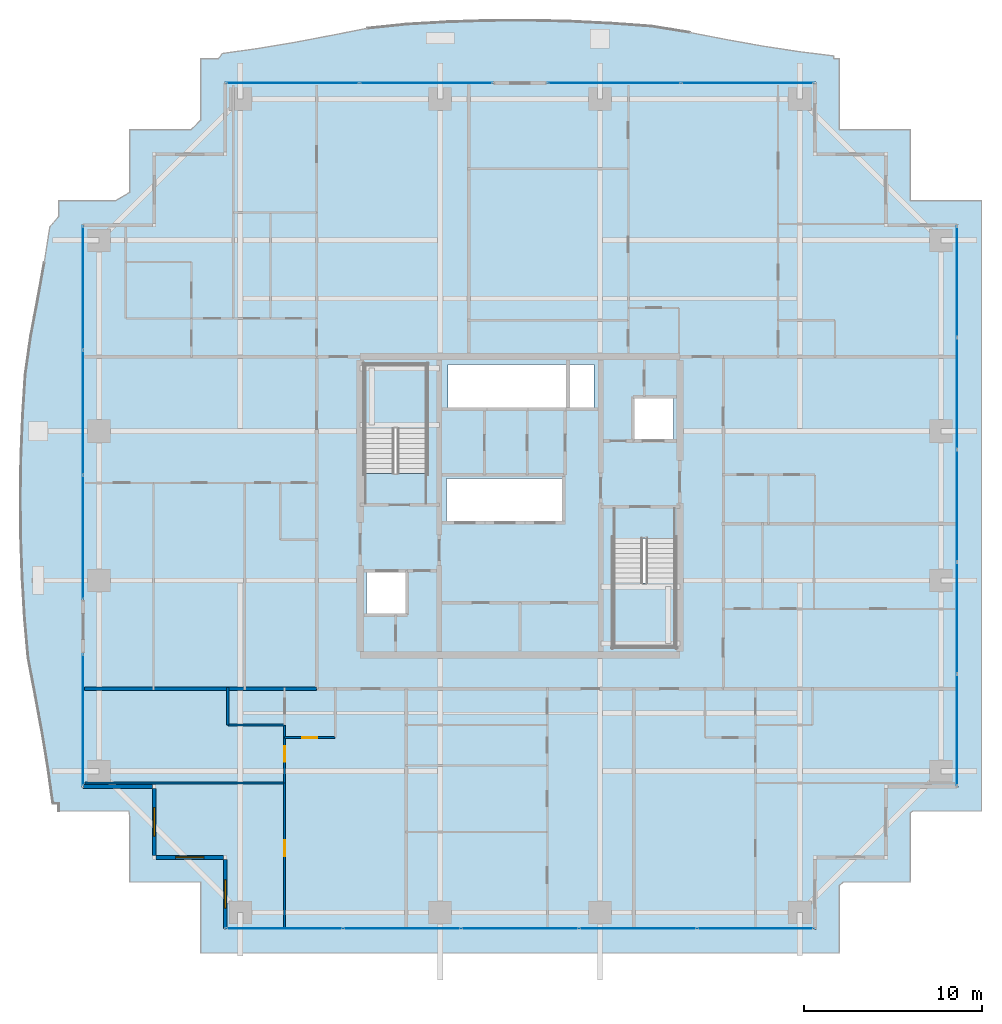
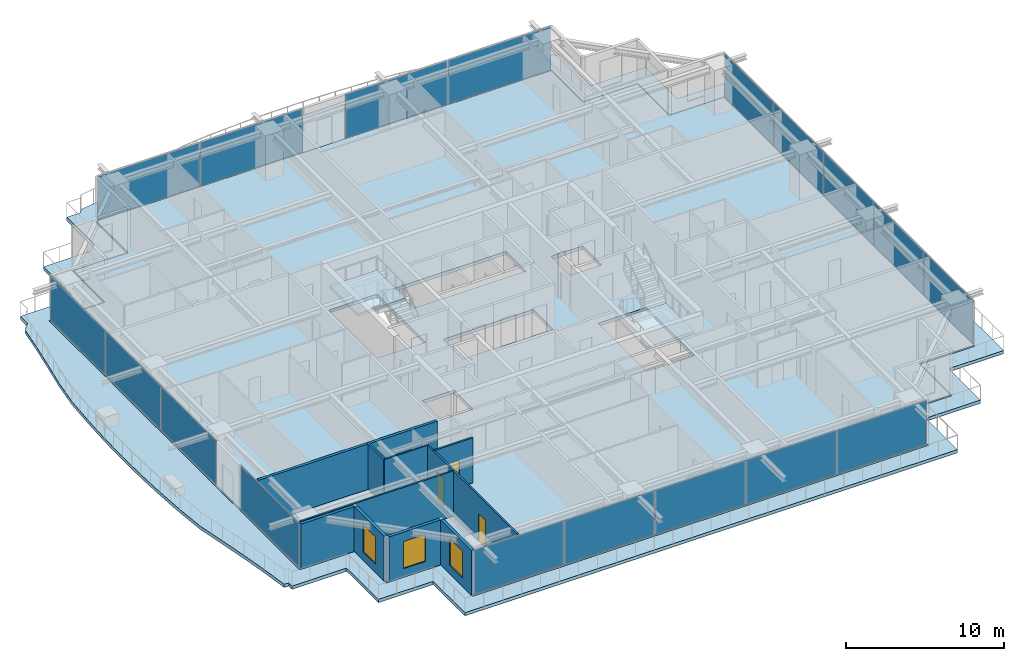
# One storey, part 26 of 37: 18 plates, 11 walls, 4 slabs, 3 doors, 3 windows, 6 openings, 8 elements without a shape of their own.
"""IFC4 building model written with IfcOpenShell, lengths in metres."""

from ifc_helpers import new_model, si_unit, direction, frame, frame_2d, origin, origin_2d, place, context, subcontext, project, spatial, polyline, rectangle, outline, extrude, source, transform, mapped, material, layer, layer_set, type_object, element, fill, aggregate, save


model = new_model("IFC4")

# Units and contexts
model_context = context("Model", 3, precision=1e-05, world=origin(), true_north=direction((0.0, 1.0)))
body_context = subcontext(model_context, "Body", "Model", "MODEL_VIEW")
ifc_project = project(units=[si_unit("LENGTHUNIT", "METRE"), si_unit("AREAUNIT", "SQUARE_METRE"), si_unit("VOLUMEUNIT", "CUBIC_METRE"), si_unit("PLANEANGLEUNIT", "RADIAN"), si_unit("MASSUNIT", "GRAM", prefix="KILO")], contexts=[model_context])

# Site, building, storey
site_placement = place(None, origin())
site = spatial("IfcSite", under=ifc_project, at=site_placement, CompositionType="ELEMENT")
building_placement = place(site_placement, origin())
building = spatial("IfcBuilding", under=site, at=building_placement, Name="Serunith Strait Residences", CompositionType="ELEMENT")
storey_placement = place(building_placement, frame((0.0, 0.0, 138.89990234375)))
storey = spatial("IfcBuildingStorey", under=building, at=storey_placement, Name="L34", CompositionType="ELEMENT", Elevation=138.89990234375)

# Slab
ifc_material_1 = material(Name="Concrete C50/60", Category="concrete")
ifc_layer_1 = layer(ifc_material_1, 0.239990234375, Name="Concrete C50/60")
ifc_layer_set_1 = layer_set([ifc_layer_1], Name="Concrete C50/60")
slab_type_1 = type_object("IfcSlabType", Name="SLB-BALC-240", PredefinedType="FLOOR", material=ifc_layer_set_1)
slab_1_placement = place(storey_placement, frame((0.0, 0.0, -0.289794921875)))
element("IfcSlab", 1, at=slab_1_placement, inside=storey, type_object=slab_type_1, Name="L34 Planted Vertical-Forest Balcony Slab", PredefinedType="FLOOR", context=body_context, shape_type="SweptSolid", body=[
    extrude(outline(polyline([(6.419921875, 8.02001953125), (6.419921875, 8.4296875), (6.095947265625, 8.4482421875), (5.817138671875, 10.44970703125), (5.4833984375, 12.47119140625), (5.10400390625, 14.529296875), (4.70166015625, 16.642822265625), (4.502685546875, 18.868408203125), (4.37060546875, 21.135986328125), (4.288818359375, 23.4287109375), (4.265380859375, 25.733642578125), (4.302490234375, 28.036376953125), (4.396728515625, 30.322509765625), (4.5390625, 32.58056640625), (4.84619140625, 34.758056640625), (5.242431640625, 36.8466796875), (5.60595703125, 38.887451171875), (5.9189453125, 40.8984375), (6.419921875, 41.48388671875), (6.419921875, 42.3798828125), (9.627685546875, 42.3798828125), (10.419921875, 42.8525390625), (10.419921875, 46.3798828125), (13.863525390625, 46.3798828125), (14.419921875, 46.915771484375), (14.419921875, 50.3798828125), (15.425048828125, 50.3798828125), (15.63330078125, 50.671142578125), (17.63134765625, 50.950439453125), (19.648193359375, 51.2880859375), (21.701904296875, 51.676513671875), (23.81298828125, 52.09130859375), (26.03759765625, 52.32080078125), (28.31640625, 52.4501953125), (30.62060546875, 52.523681640625), (32.93603515625, 52.533935546875), (35.246337890625, 52.4794921875), (37.53662109375, 52.366455078125), (39.79443359375, 52.205810546875), (41.957275390625, 51.855712890625), (44.0361328125, 51.450439453125), (46.068603515625, 51.087158203125), (48.074462890625, 50.78076171875), (50.0693359375, 50.533203125), (50.068115234375, 50.3798828125), (50.3798828125, 50.3798828125), (50.3798828125, 46.3798828125), (54.3798828125, 46.3798828125), (54.3798828125, 42.3798828125), (58.3798828125, 42.3798828125), (58.3798828125, 8.02001953125), (54.51513671875, 8.02001953125), (54.3798828125, 7.921875), (54.3798828125, 4.02001953125), (50.601806640625, 4.02001953125), (50.3798828125, 3.8408203125), (50.3798828125, 0.02001953125), (14.419921875, 0.02001953125), (14.419921875, 4.02001953125), (10.419921875, 4.02001953125), (10.419921875, 7.686767578125), (10.370849609375, 8.02001953125), (6.419921875, 8.02001953125)]), holes=[polyline([(49.054931640625, 1.344970703125), (49.054931640625, 5.344970703125), (53.054931640625, 5.344970703125), (53.054931640625, 9.344970703125), (57.054931640625, 9.344970703125), (57.054931640625, 41.054931640625), (53.054931640625, 41.054931640625), (53.054931640625, 45.054931640625), (49.054931640625, 45.054931640625), (49.054931640625, 49.054931640625), (15.7451171875, 49.054931640625), (15.7451171875, 45.054931640625), (11.7451171875, 45.054931640625), (11.7451171875, 41.054931640625), (7.7451171875, 41.054931640625), (7.7451171875, 9.344970703125), (11.7451171875, 9.344970703125), (11.7451171875, 5.344970703125), (15.7451171875, 5.344970703125), (15.7451171875, 1.344970703125), (49.054931640625, 1.344970703125)])]), origin(), (0.0, 0.0, 1.0), 0.239990234375),
])

# Stair, slab
stair_type_1 = type_object("IfcStairType", Name="STR-CORE-1", PredefinedType="HALF_TURN_STAIR", material=ifc_material_1)
stair_1_placement = place(storey_placement, origin())
stair_1 = element("IfcStair", 2, at=stair_1_placement, inside=storey, type_object=stair_type_1, Name="L34 Protected Escape Stair ST-1", PredefinedType="HALF_TURN_STAIR")
ifc_layer_2 = layer(ifc_material_1, 0.199951171875, Name="Concrete C50/60")
ifc_layer_set_2 = layer_set([ifc_layer_2], Name="Concrete C50/60")
slab_type_2 = type_object("IfcSlabType", Name="SLB-LAND-200", PredefinedType="LANDING", material=ifc_layer_set_2)
slab_2_placement = place(storey_placement, frame((0.0, 0.0, 1.675048828125)))
slab_2 = element("IfcSlab", 3, at=slab_2_placement, type_object=slab_type_2, Name="ST-1 landing 1", PredefinedType="LANDING", context=body_context, shape_type="SweptSolid", body=[
    extrude(outline(polyline([(27.14990234375, 29.550048828125), (27.14990234375, 33.14990234375), (23.64990234375, 33.14990234375), (23.64990234375, 29.550048828125), (27.14990234375, 29.550048828125)])), origin(), (0.0, 0.0, 1.0), 0.199951171875),
])
aggregate(stair_1, [slab_2])

stair_type_2 = type_object("IfcStairType", Name="STR-CORE-2", PredefinedType="HALF_TURN_STAIR", material=ifc_material_1)
stair_2_placement = place(storey_placement, origin())
stair_2 = element("IfcStair", 4, at=stair_2_placement, inside=storey, type_object=stair_type_2, Name="L34 Protected Escape Stair ST-2", PredefinedType="HALF_TURN_STAIR")
slab_3_placement = place(storey_placement, frame((0.0, 0.0, 1.675048828125)))
slab_3 = element("IfcSlab", 5, at=slab_3_placement, type_object=slab_type_2, Name="ST-2 landing 1", PredefinedType="LANDING", context=body_context, shape_type="SweptSolid", body=[
    extrude(outline(polyline([(37.64990234375, 20.85009765625), (37.64990234375, 17.25), (41.14990234375, 17.25), (41.14990234375, 20.85009765625), (37.64990234375, 20.85009765625)])), origin(), (0.0, 0.0, 1.0), 0.199951171875),
])
aggregate(stair_2, [slab_3])

# Slab
ifc_material_2 = material(Name="Concrete C60/75", Category="concrete")
ifc_layer_3 = layer(ifc_material_2, 0.260009765625, Name="Concrete C60/75")
ifc_layer_set_3 = layer_set([ifc_layer_3], Name="Concrete C60/75")
slab_type_3 = type_object("IfcSlabType", Name="SLB-TWR-260-Z2", PredefinedType="FLOOR", material=ifc_layer_set_3)
slab_4_placement = place(storey_placement, frame((0.0, 0.0, -0.260009765625)))
element("IfcSlab", 6, at=slab_4_placement, inside=storey, type_object=slab_type_3, Name="L34 Structural Floor Plate", PredefinedType="FLOOR", context=body_context, shape_type="SweptSolid", body=[
    extrude(outline(polyline([(15.800048828125, 5.39990234375), (11.800048828125, 5.39990234375), (11.800048828125, 9.39990234375), (7.800048828125, 9.39990234375), (7.800048828125, 41.0), (11.800048828125, 41.0), (11.800048828125, 45.0), (15.800048828125, 45.0), (15.800048828125, 49.0), (49.0, 49.0), (49.0, 45.0), (53.0, 45.0), (53.0, 41.0), (57.0, 41.0), (57.0, 9.39990234375), (53.0, 9.39990234375), (53.0, 5.39990234375), (49.0, 5.39990234375), (49.0, 1.39990234375), (15.800048828125, 1.39990234375), (15.800048828125, 5.39990234375)]), holes=[polyline([(41.14990234375, 23.3701171875), (37.64990234375, 23.3701171875), (37.64990234375, 17.25), (41.14990234375, 17.25), (41.14990234375, 23.3701171875)]), polyline([(38.75, 31.25), (38.75, 28.85009765625), (41.050048828125, 28.85009765625), (41.050048828125, 31.25), (38.75, 31.25)]), polyline([(36.550048828125, 33.14990234375), (28.35009765625, 33.14990234375), (28.35009765625, 30.64990234375), (36.550048828125, 30.64990234375), (36.550048828125, 33.14990234375)]), polyline([(34.85009765625, 26.75), (28.25, 26.75), (28.25, 24.25), (34.85009765625, 24.25), (34.85009765625, 26.75)]), polyline([(23.64990234375, 33.14990234375), (23.64990234375, 27.030029296875), (27.14990234375, 27.030029296875), (27.14990234375, 33.14990234375), (23.64990234375, 33.14990234375)]), polyline([(26.050048828125, 21.550048828125), (23.75, 21.550048828125), (23.75, 19.14990234375), (26.050048828125, 19.14990234375), (26.050048828125, 21.550048828125)])]), origin(), (0.0, 0.0, 1.0), 0.260009765625),
])

# Curtain wall, plates
ifc_material_3 = material(Name="Pale-Champagne Anodised Aluminium", Category="aluminium")
ifc_layer_4 = layer(ifc_material_3, 0.199951171875, Name="Pale-Champagne Anodised Aluminium")
ifc_layer_set_4 = layer_set([ifc_layer_4], Name="Pale-Champagne Anodised Aluminium")
curtain_wall_type = type_object("IfcCurtainWallType", Name="CW-SYS2", PredefinedType="NOTDEFINED", material=ifc_layer_set_4)
curtain_wall_1_placement = place(storey_placement, origin())
curtain_wall_1 = element("IfcCurtainWall", 7, at=curtain_wall_1_placement, inside=storey, type_object=curtain_wall_type, Name="L34 S Unitised Fritted Curtain Wall", PredefinedType="NOTDEFINED")
ifc_material_4 = material(Name="Diagonal-Frit Operable Low-E Glazing 30mm", Category="glass")
ifc_layer_5 = layer(ifc_material_4, 0.030029296875, Name="Diagonal-Frit Operable Low-E Glazing 30mm")
ifc_layer_set_5 = layer_set([ifc_layer_5], Name="Diagonal-Frit Operable Low-E Glazing 30mm")
plate_type = type_object("IfcPlateType", Name="CW-SYS2-PNL", PredefinedType="CURTAIN_PANEL", material=ifc_layer_set_5)
shared_shape_1 = source(origin(), body_context, "Body", "SweptSolid", [
    extrude(rectangle(XDim=6.534912109375, YDim=0.030029296875, at=origin_2d()), origin(), (0.0, 0.0, 1.0), 3.35498046875),
])
plate_1_placement = place(storey_placement, frame((19.137451171875, 1.39990234375, 0.06005859375), z_axis=(0.0, 0.0, 1.0), x_axis=(1.0, 0.0, 0.0)))
plate_1 = element("IfcPlate", 8, at=plate_1_placement, type_object=plate_type, Name="CW-2 panel 1.1", PredefinedType="CURTAIN_PANEL", context=body_context, shape_type="MappedRepresentation", body=[
    mapped(shared_shape_1, transform((0.0, 0.0, 0.0), scale=1.0)),
])
plate_2_placement = place(storey_placement, frame((45.66259765625, 1.39990234375, 0.06005859375), z_axis=(0.0, 0.0, 1.0), x_axis=(1.0, 0.0, 0.0)))
plate_2 = element("IfcPlate", 9, at=plate_2_placement, type_object=plate_type, Name="CW-2 panel 5.1", PredefinedType="CURTAIN_PANEL", context=body_context, shape_type="MappedRepresentation", body=[
    mapped(shared_shape_1, transform((0.0, 0.0, 0.0), scale=1.0)),
])
shared_shape_2 = source(origin(), body_context, "Body", "SweptSolid", [
    extrude(rectangle(XDim=6.570068359375, YDim=0.030029296875, at=origin_2d()), origin(), (0.0, 0.0, 1.0), 3.35498046875),
])
plate_3_placement = place(storey_placement, frame((25.760009765625, 1.39990234375, 0.06005859375), z_axis=(0.0, 0.0, 1.0), x_axis=(1.0, 0.0, 0.0)))
plate_3 = element("IfcPlate", 10, at=plate_3_placement, type_object=plate_type, Name="CW-2 panel 2.1", PredefinedType="CURTAIN_PANEL", context=body_context, shape_type="MappedRepresentation", body=[
    mapped(shared_shape_2, transform((0.0, 0.0, 0.0), scale=1.0)),
])
plate_4_placement = place(storey_placement, frame((32.39990234375, 1.39990234375, 0.06005859375), z_axis=(0.0, 0.0, 1.0), x_axis=(1.0, 0.0, 0.0)))
plate_4 = element("IfcPlate", 11, at=plate_4_placement, type_object=plate_type, Name="CW-2 panel 3.1", PredefinedType="CURTAIN_PANEL", context=body_context, shape_type="MappedRepresentation", body=[
    mapped(shared_shape_2, transform((0.0, 0.0, 0.0), scale=1.0)),
])
plate_5_placement = place(storey_placement, frame((39.0400390625, 1.39990234375, 0.06005859375), z_axis=(0.0, 0.0, 1.0), x_axis=(1.0, 0.0, 0.0)))
plate_5 = element("IfcPlate", 12, at=plate_5_placement, type_object=plate_type, Name="CW-2 panel 4.1", PredefinedType="CURTAIN_PANEL", context=body_context, shape_type="MappedRepresentation", body=[
    mapped(shared_shape_2, transform((0.0, 0.0, 0.0), scale=1.0)),
])
aggregate(curtain_wall_1, [plate_1, plate_3, plate_4, plate_5, plate_2])

curtain_wall_2_placement = place(storey_placement, origin())
curtain_wall_2 = element("IfcCurtainWall", 13, at=curtain_wall_2_placement, inside=storey, type_object=curtain_wall_type, Name="L34 E Unitised Fritted Curtain Wall", PredefinedType="NOTDEFINED")
shared_shape_3 = source(origin(), body_context, "Body", "SweptSolid", [
    extrude(rectangle(XDim=6.215087890625, YDim=0.030029296875, at=origin_2d()), origin(), (0.0, 0.0, 1.0), 3.35498046875),
])
plate_6_placement = place(storey_placement, frame((57.0, 12.577392578125, 0.06005859375), z_axis=(0.0, 0.0, 1.0), x_axis=(0.0, 1.0, 0.0)))
plate_6 = element("IfcPlate", 14, at=plate_6_placement, type_object=plate_type, Name="CW-2 panel 1.1", PredefinedType="CURTAIN_PANEL", context=body_context, shape_type="MappedRepresentation", body=[
    mapped(shared_shape_3, transform((0.0, 0.0, 0.0), scale=1.0)),
])
plate_7_placement = place(storey_placement, frame((57.0, 37.822509765625, 0.06005859375), z_axis=(0.0, 0.0, 1.0), x_axis=(0.0, 1.0, 0.0)))
plate_7 = element("IfcPlate", 15, at=plate_7_placement, type_object=plate_type, Name="CW-2 panel 5.1", PredefinedType="CURTAIN_PANEL", context=body_context, shape_type="MappedRepresentation", body=[
    mapped(shared_shape_3, transform((0.0, 0.0, 0.0), scale=1.0)),
])
shared_shape_4 = source(origin(), body_context, "Body", "SweptSolid", [
    extrude(rectangle(XDim=6.25, YDim=0.030029296875, at=origin_2d()), origin(), (0.0, 0.0, 1.0), 3.35498046875),
])
plate_8_placement = place(storey_placement, frame((57.0, 18.8798828125, 0.06005859375), z_axis=(0.0, 0.0, 1.0), x_axis=(0.0, 1.0, 0.0)))
plate_8 = element("IfcPlate", 16, at=plate_8_placement, type_object=plate_type, Name="CW-2 panel 2.1", PredefinedType="CURTAIN_PANEL", context=body_context, shape_type="MappedRepresentation", body=[
    mapped(shared_shape_4, transform((0.0, 0.0, 0.0), scale=1.0)),
])
plate_9_placement = place(storey_placement, frame((57.0, 25.199951171875, 0.06005859375), z_axis=(0.0, 0.0, 1.0), x_axis=(0.0, 1.0, 0.0)))
plate_9 = element("IfcPlate", 17, at=plate_9_placement, type_object=plate_type, Name="CW-2 panel 3.1", PredefinedType="CURTAIN_PANEL", context=body_context, shape_type="MappedRepresentation", body=[
    mapped(shared_shape_4, transform((0.0, 0.0, 0.0), scale=1.0)),
])
plate_10_placement = place(storey_placement, frame((57.0, 31.52001953125, 0.06005859375), z_axis=(0.0, 0.0, 1.0), x_axis=(0.0, 1.0, 0.0)))
plate_10 = element("IfcPlate", 18, at=plate_10_placement, type_object=plate_type, Name="CW-2 panel 4.1", PredefinedType="CURTAIN_PANEL", context=body_context, shape_type="MappedRepresentation", body=[
    mapped(shared_shape_4, transform((0.0, 0.0, 0.0), scale=1.0)),
])
aggregate(curtain_wall_2, [plate_6, plate_8, plate_9, plate_10, plate_7])

# Curtain wall, plate
curtain_wall_3_placement = place(storey_placement, origin())
curtain_wall_3 = element("IfcCurtainWall", 19, at=curtain_wall_3_placement, inside=storey, type_object=curtain_wall_type, Name="L34 W Unitised Fritted Curtain Wall", PredefinedType="NOTDEFINED")
shared_shape_5 = source(origin(), body_context, "Body", "SweptSolid", [
    extrude(rectangle(XDim=7.360107421875, YDim=0.030029296875, at=origin_2d()), origin(), (0.0, 0.0, 1.0), 3.35498046875),
])
plate_11_placement = place(storey_placement, frame((7.800048828125, 13.14990234375, 0.06005859375), z_axis=(0.0, 0.0, 1.0), x_axis=(0.0, -1.0, 0.0)))
plate_11 = element("IfcPlate", 20, at=plate_11_placement, type_object=plate_type, Name="CW-2 panel 1.1", PredefinedType="CURTAIN_PANEL", context=body_context, shape_type="MappedRepresentation", body=[
    mapped(shared_shape_5, transform((0.0, 0.0, 0.0), scale=1.0)),
])
aggregate(curtain_wall_3, [plate_11])

# Curtain wall, plates
curtain_wall_4_placement = place(storey_placement, origin())
curtain_wall_4 = element("IfcCurtainWall", 21, at=curtain_wall_4_placement, inside=storey, type_object=curtain_wall_type, Name="L34 W Unitised Fritted Curtain Wall", PredefinedType="NOTDEFINED")
shared_shape_6 = source(origin(), body_context, "Body", "SweptSolid", [
    extrude(rectangle(XDim=6.92822265625, YDim=0.030029296875, at=origin_2d()), origin(), (0.0, 0.0, 1.0), 3.35498046875),
])
plate_12_placement = place(storey_placement, frame((7.800048828125, 37.4658203125, 0.06005859375), z_axis=(0.0, 0.0, 1.0), x_axis=(0.0, -1.0, 0.0)))
plate_12 = element("IfcPlate", 22, at=plate_12_placement, type_object=plate_type, Name="CW-2 panel 1.1", PredefinedType="CURTAIN_PANEL", context=body_context, shape_type="MappedRepresentation", body=[
    mapped(shared_shape_6, transform((0.0, 0.0, 0.0), scale=1.0)),
])
plate_13_placement = place(storey_placement, frame((7.800048828125, 23.43408203125, 0.06005859375), z_axis=(0.0, 0.0, 1.0), x_axis=(0.0, -1.0, 0.0)))
plate_13 = element("IfcPlate", 23, at=plate_13_placement, type_object=plate_type, Name="CW-2 panel 3.1", PredefinedType="CURTAIN_PANEL", context=body_context, shape_type="MappedRepresentation", body=[
    mapped(shared_shape_6, transform((0.0, 0.0, 0.0), scale=1.0)),
])
shared_shape_7 = source(origin(), body_context, "Body", "SweptSolid", [
    extrude(rectangle(XDim=6.96337890625, YDim=0.030029296875, at=origin_2d()), origin(), (0.0, 0.0, 1.0), 3.35498046875),
])
plate_14_placement = place(storey_placement, frame((7.800048828125, 30.449951171875, 0.06005859375), z_axis=(0.0, 0.0, 1.0), x_axis=(0.0, -1.0, 0.0)))
plate_14 = element("IfcPlate", 24, at=plate_14_placement, type_object=plate_type, Name="CW-2 panel 2.1", PredefinedType="CURTAIN_PANEL", context=body_context, shape_type="MappedRepresentation", body=[
    mapped(shared_shape_7, transform((0.0, 0.0, 0.0), scale=1.0)),
])
aggregate(curtain_wall_4, [plate_12, plate_14, plate_13])

curtain_wall_5_placement = place(storey_placement, origin())
curtain_wall_5 = element("IfcCurtainWall", 25, at=curtain_wall_5_placement, inside=storey, type_object=curtain_wall_type, Name="L34 N Unitised Fritted Curtain Wall", PredefinedType="NOTDEFINED")
shared_shape_8 = source(origin(), body_context, "Body", "SweptSolid", [
    extrude(rectangle(XDim=7.445068359375, YDim=0.030029296875, at=origin_2d()), origin(), (0.0, 0.0, 1.0), 3.35498046875),
])
plate_15_placement = place(storey_placement, frame((45.20751953125, 49.0, 0.06005859375), z_axis=(0.0, 0.0, 1.0), x_axis=(-1.0, 0.0, 0.0)))
plate_15 = element("IfcPlate", 26, at=plate_15_placement, type_object=plate_type, Name="CW-2 panel 1.1", PredefinedType="CURTAIN_PANEL", context=body_context, shape_type="MappedRepresentation", body=[
    mapped(shared_shape_8, transform((0.0, 0.0, 0.0), scale=1.0)),
])
plate_16_placement = place(storey_placement, frame((37.6923828125, 49.0, 0.06005859375), z_axis=(0.0, 0.0, 1.0), x_axis=(-1.0, 0.0, 0.0)))
plate_16 = element("IfcPlate", 27, at=plate_16_placement, type_object=plate_type, Name="CW-2 panel 2.1", PredefinedType="CURTAIN_PANEL", context=body_context, shape_type="MappedRepresentation", body=[
    mapped(shared_shape_8, transform((0.0, 0.0, 0.0), scale=1.0)),
])
aggregate(curtain_wall_5, [plate_15, plate_16])

curtain_wall_6_placement = place(storey_placement, origin())
curtain_wall_6 = element("IfcCurtainWall", 28, at=curtain_wall_6_placement, inside=storey, type_object=curtain_wall_type, Name="L34 N Unitised Fritted Curtain Wall", PredefinedType="NOTDEFINED")
plate_17_placement = place(storey_placement, frame((27.107421875, 49.0, 0.06005859375), z_axis=(0.0, 0.0, 1.0), x_axis=(-1.0, 0.0, 0.0)))
plate_17 = element("IfcPlate", 29, at=plate_17_placement, type_object=plate_type, Name="CW-2 panel 1.1", PredefinedType="CURTAIN_PANEL", context=body_context, shape_type="MappedRepresentation", body=[
    mapped(shared_shape_8, transform((0.0, 0.0, 0.0), scale=1.0)),
])
plate_18_placement = place(storey_placement, frame((19.592529296875, 49.0, 0.06005859375), z_axis=(0.0, 0.0, 1.0), x_axis=(-1.0, 0.0, 0.0)))
plate_18 = element("IfcPlate", 30, at=plate_18_placement, type_object=plate_type, Name="CW-2 panel 2.1", PredefinedType="CURTAIN_PANEL", context=body_context, shape_type="MappedRepresentation", body=[
    mapped(shared_shape_8, transform((0.0, 0.0, 0.0), scale=1.0)),
])
aggregate(curtain_wall_6, [plate_17, plate_18])

# Wall
ifc_material_5 = material(Name="Pale-Champagne Aluminium Insulated Panel", Category="aluminium")
ifc_layer_6 = layer(ifc_material_5, 0.219970703125, Name="Pale-Champagne Aluminium Insulated Panel")
ifc_layer_set_6 = layer_set([ifc_layer_6], Name="Pale-Champagne Aluminium Insulated Panel")
wall_type_1 = type_object("IfcWallType", Name="EW-ALUM-220", PredefinedType="ELEMENTEDWALL", material=ifc_layer_set_6)
wall_1_placement = place(storey_placement, frame((7.800048828125, 9.39990234375, 0.0), z_axis=(0.0, 0.0, 1.0), x_axis=(1.0, 0.0, 0.0)))
element("IfcWall", 31, at=wall_1_placement, inside=storey, type_object=wall_type_1, Name="L34 Girih Serrated Corner Wall 17", PredefinedType="ELEMENTEDWALL", context=body_context, shape_type="SweptSolid", body=[
    extrude(rectangle(XDim=3.889892578125, YDim=0.219970703125, at=frame_2d((1.94482421875, 0.0))), origin(), (0.0, 0.0, 1.0), 3.47509765625),
])

# Wall, opening, window
wall_2_placement = place(storey_placement, frame((11.800048828125, 9.2900390625, 0.0), z_axis=(0.0, 0.0, 1.0), x_axis=(0.0, -1.0, 0.0)))
wall_2 = element("IfcWall", 32, at=wall_2_placement, inside=storey, type_object=wall_type_1, Name="L34 Girih Serrated Corner Wall 18", PredefinedType="ELEMENTEDWALL", context=body_context, shape_type="SweptSolid", body=[
    extrude(rectangle(XDim=3.780029296875, YDim=0.219970703125, at=frame_2d((1.89013671875, 0.0))), origin(), (0.0, 0.0, 1.0), 3.47509765625),
])
opening_1_placement = place(wall_2_placement, frame((1.090087890625, 0.0, 0.64990234375)))
opening_1 = element("IfcOpeningElement", 33, at=opening_1_placement, cuts=wall_2, Name="Opening W-02", PredefinedType="OPENING", context=body_context, shape_type="SweptSolid", body=[
    extrude(rectangle(XDim=1.60009765625, YDim=2.10009765625, at=frame_2d((0.800048828125, 1.050048828125))), frame((0.0, 0.1201171875, 0.0), z_axis=(0.0, -1.0, 0.0), x_axis=(1.0, 0.0, 0.0)), (0.0, 0.0, 1.0), 0.239990234375),
])
ifc_material_6 = material(Name="Ceramic-Fritted Operable Aluminium Window Glass", Category="aluminium")
window_type = type_object("IfcWindowType", Name="WIN-C2", PartitioningType="DOUBLE_PANEL_VERTICAL", PredefinedType="WINDOW", material=ifc_material_6)
shared_shape_9 = source(origin(), body_context, "Body", "SweptSolid", [
    extrude(rectangle(XDim=1.60009765625, YDim=2.10009765625, at=frame_2d((0.800048828125, 1.050048828125))), frame((0.0, 0.030029296875, 0.0), z_axis=(0.0, -1.0, 0.0), x_axis=(1.0, 0.0, 0.0)), (0.0, 0.0, 1.0), 0.06005859375),
])
window_1_placement = place(opening_1_placement, origin())
window_1 = element("IfcWindow", 34, at=window_1_placement, inside=storey, type_object=window_type, Name="L34 Corner Operable Fritted Window 18", OverallHeight=2.10009765625, OverallWidth=1.60009765625, PartitioningType="SINGLE_PANEL", PredefinedType="WINDOW", context=body_context, shape_type="MappedRepresentation", body=[
    mapped(shared_shape_9, transform((0.0, 0.0, 0.0), scale=1.0)),
])
fill(opening_1, window_1)

wall_3_placement = place(storey_placement, frame((11.909912109375, 5.39990234375, 0.0), z_axis=(0.0, 0.0, 1.0), x_axis=(1.0, 0.0, 0.0)))
wall_3 = element("IfcWall", 35, at=wall_3_placement, inside=storey, type_object=wall_type_1, Name="L34 Girih Serrated Corner Wall 19", PredefinedType="ELEMENTEDWALL", context=body_context, shape_type="SweptSolid", body=[
    extrude(rectangle(XDim=3.780029296875, YDim=0.219970703125, at=frame_2d((1.89013671875, 0.0))), origin(), (0.0, 0.0, 1.0), 3.47509765625),
])
opening_2_placement = place(wall_3_placement, frame((1.090087890625, 0.0, 0.64990234375)))
opening_2 = element("IfcOpeningElement", 36, at=opening_2_placement, cuts=wall_3, Name="Opening W-02", PredefinedType="OPENING", context=body_context, shape_type="SweptSolid", body=[
    extrude(rectangle(XDim=1.60009765625, YDim=2.10009765625, at=frame_2d((0.800048828125, 1.050048828125))), frame((0.0, 0.1201171875, 0.0), z_axis=(0.0, -1.0, 0.0), x_axis=(1.0, 0.0, 0.0)), (0.0, 0.0, 1.0), 0.239990234375),
])
window_2_placement = place(opening_2_placement, origin())
window_2 = element("IfcWindow", 37, at=window_2_placement, inside=storey, type_object=window_type, Name="L34 Corner Operable Fritted Window 19", OverallHeight=2.10009765625, OverallWidth=1.60009765625, PartitioningType="SINGLE_PANEL", PredefinedType="WINDOW", context=body_context, shape_type="MappedRepresentation", body=[
    mapped(shared_shape_9, transform((0.0, 0.0, 0.0), scale=1.0)),
])
fill(opening_2, window_2)

wall_4_placement = place(storey_placement, frame((15.800048828125, 5.2900390625, 0.0), z_axis=(0.0, 0.0, 1.0), x_axis=(0.0, -1.0, 0.0)))
wall_4 = element("IfcWall", 38, at=wall_4_placement, inside=storey, type_object=wall_type_1, Name="L34 Girih Serrated Corner Wall 20", PredefinedType="ELEMENTEDWALL", context=body_context, shape_type="SweptSolid", body=[
    extrude(rectangle(XDim=3.89013671875, YDim=0.219970703125, at=frame_2d((1.945068359375, 0.0))), origin(), (0.0, 0.0, 1.0), 3.47509765625),
])
opening_3_placement = place(wall_4_placement, frame((1.14501953125, 0.0, 0.64990234375)))
opening_3 = element("IfcOpeningElement", 39, at=opening_3_placement, cuts=wall_4, Name="Opening W-02", PredefinedType="OPENING", context=body_context, shape_type="SweptSolid", body=[
    extrude(rectangle(XDim=1.60009765625, YDim=2.10009765625, at=frame_2d((0.800048828125, 1.050048828125))), frame((0.0, 0.1201171875, 0.0), z_axis=(0.0, -1.0, 0.0), x_axis=(1.0, 0.0, 0.0)), (0.0, 0.0, 1.0), 0.239990234375),
])
window_3_placement = place(opening_3_placement, origin())
window_3 = element("IfcWindow", 40, at=window_3_placement, inside=storey, type_object=window_type, Name="L34 Corner Operable Fritted Window 20", OverallHeight=2.10009765625, OverallWidth=1.60009765625, PartitioningType="SINGLE_PANEL", PredefinedType="WINDOW", context=body_context, shape_type="MappedRepresentation", body=[
    mapped(shared_shape_9, transform((0.0, 0.0, 0.0), scale=1.0)),
])
fill(opening_3, window_3)

# Wall, opening, door
ifc_material_7 = material(Name="Lightweight steel-stud gypsum partition", Category="steel")
ifc_layer_7 = layer(ifc_material_7, 0.1201171875, Name="Lightweight steel-stud gypsum partition")
ifc_layer_set_7 = layer_set([ifc_layer_7], Name="Lightweight steel-stud gypsum partition")
wall_type_2 = type_object("IfcWallType", Name="IW-PART-120", PredefinedType="PARTITIONING", material=ifc_layer_set_7)
wall_5_placement = place(storey_placement, frame((19.139892578125, 12.14990234375, 0.0), z_axis=(0.0, 0.0, 1.0), x_axis=(1.0, 0.0, 0.0)))
wall_5 = element("IfcWall", 41, at=wall_5_placement, inside=storey, type_object=wall_type_2, Name="L34 Partition Wall 033", PredefinedType="PARTITIONING", context=body_context, shape_type="SweptSolid", body=[
    extrude(rectangle(XDim=2.85009765625, YDim=0.1201171875, at=frame_2d((1.425048828125, 0.0))), origin(), (0.0, 0.0, 1.0), 3.489990234375),
])
opening_4_placement = place(wall_5_placement, frame((1.0, 0.0, 0.0)))
opening_4 = element("IfcOpeningElement", 42, at=opening_4_placement, cuts=wall_5, Name="Opening D-RM850", PredefinedType="OPENING", context=body_context, shape_type="SweptSolid", body=[
    extrude(rectangle(XDim=0.85009765625, YDim=2.10009765625, at=frame_2d((0.425048828125, 1.050048828125))), frame((0.0, 0.070068359375, 0.0), z_axis=(0.0, -1.0, 0.0), x_axis=(1.0, 0.0, 0.0)), (0.0, 0.0, 1.0), 0.14013671875),
])
ifc_material_8 = material(Name="Engineered timber flush study and kitchen door", Category="wood")
door_type_1 = type_object("IfcDoorType", Name="ID-ROOM-850", OperationType="NOTDEFINED", PredefinedType="DOOR", material=ifc_material_8)
shared_shape_10 = source(origin(), body_context, "Body", "SweptSolid", [
    extrude(rectangle(XDim=0.85009765625, YDim=2.10009765625, at=frame_2d((0.425048828125, 1.050048828125))), frame((0.0, 0.02490234375, 0.0), z_axis=(0.0, -1.0, 0.0), x_axis=(1.0, 0.0, 0.0)), (0.0, 0.0, 1.0), 0.050048828125),
])
door_1_placement = place(opening_4_placement, origin())
door_1 = element("IfcDoor", 43, at=door_1_placement, inside=storey, type_object=door_type_1, Name="L34 Kitchen 3401 Door", OperationType="SINGLE_SWING_RIGHT", OverallHeight=2.10009765625, OverallWidth=0.85009765625, PredefinedType="DOOR", context=body_context, shape_type="MappedRepresentation", body=[
    mapped(shared_shape_10, transform((0.0, 0.0, 0.0), scale=1.0)),
])
fill(opening_4, door_1)

wall_6_placement = place(storey_placement, frame((19.139892578125, 1.4951171875, 0.0), z_axis=(0.0, 0.0, 1.0), x_axis=(0.0, 1.0, 0.0)))
wall_6 = element("IfcWall", 44, at=wall_6_placement, inside=storey, type_object=wall_type_2, Name="L34 Partition Wall 035", PredefinedType="PARTITIONING", context=body_context, shape_type="SweptSolid", body=[
    extrude(rectangle(XDim=8.102783203125, YDim=0.1201171875, at=frame_2d((4.05126953125, 0.0))), origin(), (0.0, 0.0, 1.0), 3.489990234375),
])
opening_5_placement = place(wall_6_placement, frame((3.9619140625, 0.0, 0.0)))
opening_5 = element("IfcOpeningElement", 45, at=opening_5_placement, cuts=wall_6, Name="Opening D-RM900", PredefinedType="OPENING", context=body_context, shape_type="SweptSolid", body=[
    extrude(rectangle(XDim=0.89990234375, YDim=2.10009765625, at=frame_2d((0.449951171875, 1.050048828125))), frame((0.0, 0.070068359375, 0.0), z_axis=(0.0, -1.0, 0.0), x_axis=(1.0, 0.0, 0.0)), (0.0, 0.0, 1.0), 0.14013671875),
])
ifc_material_9 = material(Name="Engineered timber flush bedroom door", Category="wood")
door_type_2 = type_object("IfcDoorType", Name="ID-ROOM-900", OperationType="NOTDEFINED", PredefinedType="DOOR", material=ifc_material_9)
shared_shape_11 = source(origin(), body_context, "Body", "SweptSolid", [
    extrude(rectangle(XDim=0.89990234375, YDim=2.10009765625, at=frame_2d((0.449951171875, 1.050048828125))), frame((0.0, 0.02490234375, 0.0), z_axis=(0.0, -1.0, 0.0), x_axis=(1.0, 0.0, 0.0)), (0.0, 0.0, 1.0), 0.050048828125),
])
door_2_placement = place(opening_5_placement, origin())
door_2 = element("IfcDoor", 46, at=door_2_placement, inside=storey, type_object=door_type_2, Name="L34 Master Bedroom 1 3401 Door", OperationType="SINGLE_SWING_LEFT", OverallHeight=2.10009765625, OverallWidth=0.89990234375, PredefinedType="DOOR", context=body_context, shape_type="MappedRepresentation", body=[
    mapped(shared_shape_11, transform((0.0, 0.0, 0.0), scale=1.0)),
])
fill(opening_5, door_2)

# Walls
wall_7_placement = place(storey_placement, frame((7.89501953125, 9.597900390625, 0.0), z_axis=(0.0, 0.0, 1.0), x_axis=(1.0, 0.0, 0.0)))
element("IfcWall", 47, at=wall_7_placement, inside=storey, type_object=wall_type_2, Name="L34 Partition Wall 036", PredefinedType="PARTITIONING", context=body_context, shape_type="SweptSolid", body=[
    extrude(rectangle(XDim=11.244873046875, YDim=0.1201171875, at=frame_2d((5.62255859375, 0.0))), origin(), (0.0, 0.0, 1.0), 3.489990234375),
])
wall_8_placement = place(storey_placement, frame((15.93994140625, 12.85009765625, 0.0), z_axis=(0.0, 0.0, 1.0), x_axis=(1.0, 0.0, 0.0)))
element("IfcWall", 48, at=wall_8_placement, inside=storey, type_object=wall_type_2, Name="L34 Partition Wall 037", PredefinedType="PARTITIONING", context=body_context, shape_type="SweptSolid", body=[
    extrude(rectangle(XDim=3.199951171875, YDim=0.1201171875, at=frame_2d((1.60009765625, 0.0))), origin(), (0.0, 0.0, 1.0), 3.489990234375),
])
wall_9_placement = place(storey_placement, frame((15.93994140625, 12.85009765625, 0.0), z_axis=(0.0, 0.0, 1.0), x_axis=(0.0, 1.0, 0.0)))
element("IfcWall", 49, at=wall_9_placement, inside=storey, type_object=wall_type_2, Name="L34 Partition Wall 038", PredefinedType="PARTITIONING", context=body_context, shape_type="SweptSolid", body=[
    extrude(rectangle(XDim=2.10986328125, YDim=0.1201171875, at=frame_2d((1.054931640625, 0.0))), origin(), (0.0, 0.0, 1.0), 3.489990234375),
])

# Wall, opening, door
wall_10_placement = place(storey_placement, frame((19.139892578125, 9.60009765625, 0.0), z_axis=(0.0, 0.0, 1.0), x_axis=(0.0, 1.0, 0.0)))
wall_10 = element("IfcWall", 50, at=wall_10_placement, inside=storey, type_object=wall_type_2, Name="L34 Partition Wall 039", PredefinedType="PARTITIONING", context=body_context, shape_type="SweptSolid", body=[
    extrude(rectangle(XDim=3.25, YDim=0.1201171875, at=frame_2d((1.625, 0.0))), origin(), (0.0, 0.0, 1.0), 3.489990234375),
])
opening_6_placement = place(wall_10_placement, frame((1.199951171875, 0.0, 0.0)))
opening_6 = element("IfcOpeningElement", 51, at=opening_6_placement, cuts=wall_10, Name="Opening D-RM850", PredefinedType="OPENING", context=body_context, shape_type="SweptSolid", body=[
    extrude(rectangle(XDim=0.85009765625, YDim=2.10009765625, at=frame_2d((0.425048828125, 1.050048828125))), frame((0.0, 0.070068359375, 0.0), z_axis=(0.0, -1.0, 0.0), x_axis=(1.0, 0.0, 0.0)), (0.0, 0.0, 1.0), 0.14013671875),
])
door_3_placement = place(opening_6_placement, origin())
door_3 = element("IfcDoor", 52, at=door_3_placement, inside=storey, type_object=door_type_1, Name="L34 Walk-in Wardrobe 3401 Door", OperationType="SINGLE_SWING_RIGHT", OverallHeight=2.10009765625, OverallWidth=0.85009765625, PredefinedType="DOOR", context=body_context, shape_type="MappedRepresentation", body=[
    mapped(shared_shape_10, transform((0.0, 0.0, 0.0), scale=1.0)),
])
fill(opening_6, door_3)

# Wall
ifc_material_10 = material(Name="Twin-stud acoustic gypsum board partition")
ifc_layer_8 = layer(ifc_material_10, 0.199951171875, Name="Twin-stud acoustic gypsum board partition")
ifc_layer_set_8 = layer_set([ifc_layer_8], Name="Twin-stud acoustic gypsum board partition")
wall_type_3 = type_object("IfcWallType", Name="IW-PARTY-200", PredefinedType="PARTITIONING", material=ifc_layer_set_8)
wall_11_placement = place(storey_placement, frame((7.882080078125, 14.89990234375, 0.0), z_axis=(0.0, 0.0, 1.0), x_axis=(1.0, 0.0, 0.0)))
element("IfcWall", 53, at=wall_11_placement, inside=storey, type_object=wall_type_3, Name="L34 Partition Wall 024", PredefinedType="PARTITIONING", context=body_context, shape_type="SweptSolid", body=[
    extrude(rectangle(XDim=13.06787109375, YDim=0.199951171875, at=frame_2d((6.533935546875, 0.0))), origin(), (0.0, 0.0, 1.0), 3.489990234375),
])

save(model, "model.ifc")
